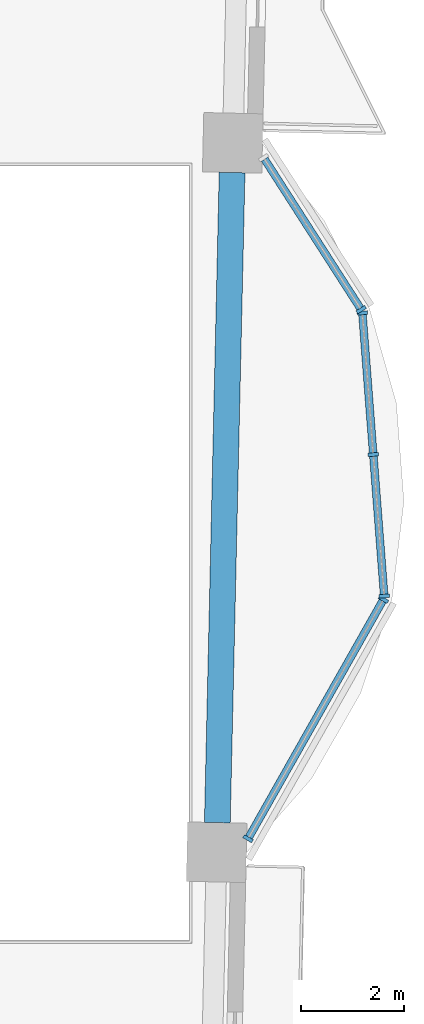
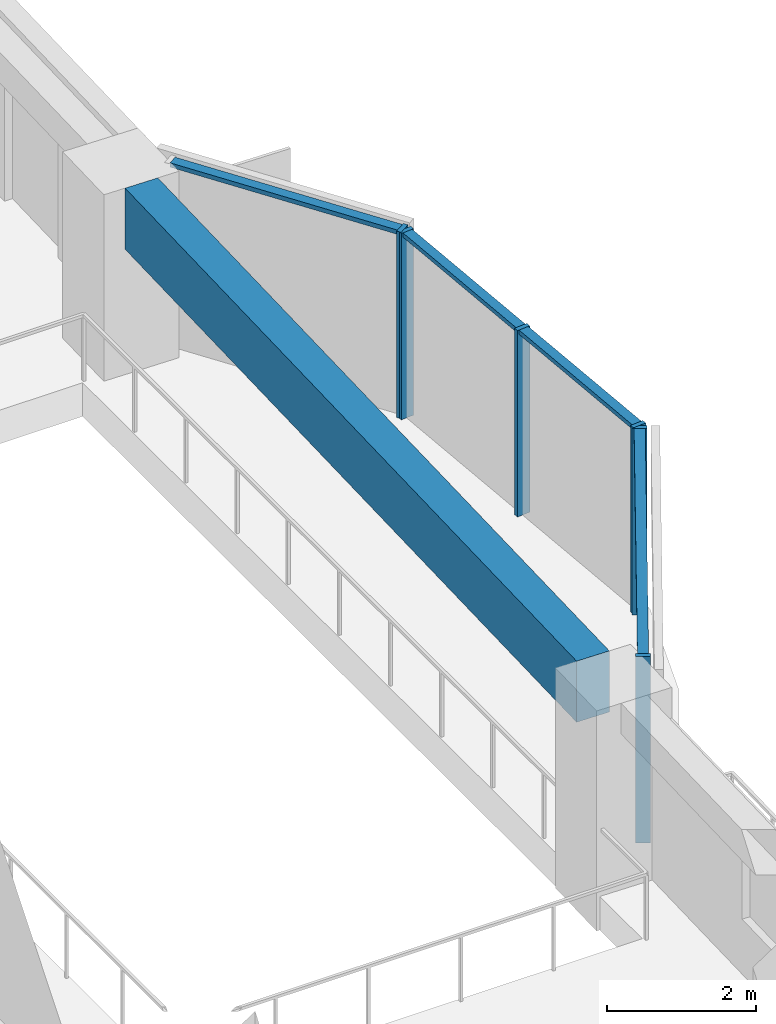
# One storey, part 2 of 16: 10 members, 1 beam, 3 elements without a shape of their own.
"""IFC4 building model written with IfcOpenShell, lengths in metres."""

import ifcopenshell
import ifcopenshell.guid

model = None  # the IFC model being written
_history = None  # IfcOwnerHistory: only IFC2X3 demands one
_inside = {}  # id of a spatial element -> (the spatial element, [elements in it])
_under = {}  # id of a project, library or spatial element -> (it, [spatial elements below it])
_declared = {}  # id of a project -> (the project, [libraries it declares])
_typed = {}  # id of a type object -> (the type object, [elements of that type])
_made_of = {}  # id of a material, layer set ... -> (it, [elements and type objects made of it])


def new_model(schema):
    """Start an empty IFC model of exactly this schema.

    Asked for "IFC4X3", IfcOpenShell would pick the latest addendum, in which some entities
    have other attributes; the version numbers below select the first issue.
    IFC2X3 requires an IfcOwnerHistory on every rooted entity: one is made here for all.
    """
    global model, _history
    if schema == "IFC4X3":
        model = ifcopenshell.file(schema_version=(4, 3, 0, 0))
    else:
        model = ifcopenshell.file(schema=schema)
    _inside.clear()
    _under.clear()
    _declared.clear()
    _typed.clear()
    _made_of.clear()
    _history = None
    if model.schema == "IFC2X3":
        org = make("IfcOrganization", Name="unknown")
        user = make(
            "IfcPersonAndOrganization",
            ThePerson=make("IfcPerson", FamilyName="unknown"),
            TheOrganization=org,
        )
        app = make(
            "IfcApplication",
            ApplicationDeveloper=org,
            Version="unknown",
            ApplicationFullName="unknown",
            ApplicationIdentifier="unknown",
        )
        _history = make(
            "IfcOwnerHistory",
            OwningUser=user,
            OwningApplication=app,
            ChangeAction="ADDED",
            CreationDate=0,
        )
    return model


def make(cls, **values):
    """One entity of the class cls with the attributes given. An attribute that is None is left unset."""
    return model.create_entity(
        cls, **{name: value for name, value in values.items() if value is not None}
    )


def rooted(cls, **values):
    """An entity with a GlobalId (a new one), such as an element, a storey or a relation."""
    return make(cls, GlobalId=ifcopenshell.guid.new(), OwnerHistory=_history, **values)


def si_unit(unit_type, name, prefix=None):
    """IfcSIUnit, for example si_unit("LENGTHUNIT", "METRE", prefix="MILLI")."""
    return make("IfcSIUnit", UnitType=unit_type, Prefix=prefix, Name=name)


def assignment(units):
    """IfcUnitAssignment: the units of a project."""
    return None if units is None else make("IfcUnitAssignment", Units=units)


def point(xyz):
    """IfcCartesianPoint."""
    return None if xyz is None else make("IfcCartesianPoint", Coordinates=xyz)


def direction(xyz):
    """IfcDirection."""
    return None if xyz is None else make("IfcDirection", DirectionRatios=xyz)


def frame(location, z_axis=None, x_axis=None):
    """IfcAxis2Placement3D, a coordinate frame: its origin and axes. An axis left out is left unset."""
    return make(
        "IfcAxis2Placement3D",
        Location=point(location),
        Axis=direction(z_axis),
        RefDirection=direction(x_axis),
    )


def frame_2d(location, x_axis=None):
    """IfcAxis2Placement2D, a coordinate frame in the plane: its origin and x axis."""
    return make(
        "IfcAxis2Placement2D", Location=point(location), RefDirection=direction(x_axis)
    )


def origin():
    """The frame at (0, 0, 0) with its axes left unset."""
    return frame((0.0, 0.0, 0.0))


def origin_2d():
    """The frame at (0, 0) in the plane with its x axis left unset."""
    return frame_2d((0.0, 0.0))


def place(relative_to, where):
    """IfcLocalPlacement: puts the frame where relative to a parent placement (None: the world)."""
    return make(
        "IfcLocalPlacement", PlacementRelTo=relative_to, RelativePlacement=where
    )


def context(
    kind, dimensions, precision=None, world=None, true_north=None, identifier=None
):
    """IfcGeometricRepresentationContext, for example the 3D "Model" context."""
    return make(
        "IfcGeometricRepresentationContext",
        ContextIdentifier=identifier,
        ContextType=kind,
        CoordinateSpaceDimension=dimensions,
        Precision=precision,
        WorldCoordinateSystem=world,
        TrueNorth=true_north,
    )


def subcontext(parent, identifier, kind, view, scale=None):
    """IfcGeometricRepresentationSubContext, for example "Body" below "Model"."""
    return make(
        "IfcGeometricRepresentationSubContext",
        ContextIdentifier=identifier,
        ContextType=kind,
        ParentContext=parent,
        TargetScale=scale,
        TargetView=view,
    )


def project(units=None, contexts=None):
    """IfcProject with its units and contexts."""
    return rooted(
        "IfcProject",
        Name="project",
        RepresentationContexts=contexts,
        UnitsInContext=assignment(units),
    )


def spatial(cls, under=None, at=None, **own):
    """A site, building, storey or space (cls), placed at a placement, below another one or the project."""
    s = rooted(cls, ObjectPlacement=at, **own)
    if under is not None:
        _under.setdefault(under.id(), (under, []))[1].append(s)
    return s


def profile(cls, at=None, kind="AREA", **sizes):
    """A parametric profile (cls). Its sizes go by their IFC names, for example OverallWidth=200.0."""
    return make(cls, ProfileType=kind, Position=at, **sizes)


def rectangle(**sizes):
    """IfcRectangleProfileDef."""
    return profile("IfcRectangleProfileDef", **sizes)


def extrude(swept, where, along, depth):
    """IfcExtrudedAreaSolid: the profile swept, set in the frame where, extruded along a direction by depth."""
    return make(
        "IfcExtrudedAreaSolid",
        SweptArea=swept,
        Position=where,
        ExtrudedDirection=direction(along),
        Depth=depth,
    )


def shape(context_of_items, identifier, shape_type, items):
    """IfcShapeRepresentation: the items that make up one representation, for example the "Body"."""
    return make(
        "IfcShapeRepresentation",
        ContextOfItems=context_of_items,
        RepresentationIdentifier=identifier,
        RepresentationType=shape_type,
        Items=items,
    )


def material(Name=None, Category=None):
    """IfcMaterial."""
    return make("IfcMaterial", Name=Name, Category=Category)


def material_profile(
    of_material, cross_section, Name=None, Category=None, Priority=None
):
    """IfcMaterialProfile: a cross section and its material."""
    return make(
        "IfcMaterialProfile",
        Name=Name,
        Material=of_material,
        Profile=cross_section,
        Priority=Priority,
        Category=Category,
    )


def profile_set(profiles, Name=None, composite=None):
    """IfcMaterialProfileSet."""
    return make(
        "IfcMaterialProfileSet",
        Name=Name,
        MaterialProfiles=profiles,
        CompositeProfile=composite,
    )


def made_of(thing, what):
    """Note that an element or type object is made of a material, layer set ...; save() writes the relation."""
    if what is not None:
        _made_of.setdefault(what.id(), (what, []))[1].append(thing)
    return thing


def type_object(cls, material=None, **own):
    """A type object (cls), such as IfcWallType, which elements share."""
    return made_of(rooted(cls, **own), material)


def element(
    cls,
    number,
    at=None,
    inside=None,
    cuts=None,
    type_object=None,
    material=None,
    context=None,
    identifier="Body",
    shape_type=None,
    held_by="IfcProductDefinitionShape",
    body=None,
    shapes=None,
    **own,
):
    """One element of the class cls, such as IfcWall. Its Tag is "e" and its number.

    at: its placement. inside: the storey or other place that contains it. cuts: it is an
    opening in that element (IfcRelVoidsElement). A single representation is given by context,
    identifier, shape_type and body (its items); several are given by shapes. held_by: the class
    of the entity that holds the representations. save() writes the other relations.
    """
    e = rooted(cls, Tag="e%d" % number, ObjectPlacement=at, **own)
    if body is not None:
        shapes = [shape(context, identifier, shape_type, body)]
    if shapes is not None:
        e.Representation = make(held_by, Representations=shapes)
    if inside is not None:
        _inside.setdefault(inside.id(), (inside, []))[1].append(e)
    if cuts is not None:
        rooted(
            "IfcRelVoidsElement", RelatingBuildingElement=cuts, RelatedOpeningElement=e
        )
    if type_object is not None:
        _typed.setdefault(type_object.id(), (type_object, []))[1].append(e)
    return made_of(e, material)


def aggregate(whole, parts):
    """IfcRelAggregates: a whole, such as a stair, and the parts it consists of."""
    return rooted("IfcRelAggregates", RelatingObject=whole, RelatedObjects=parts)


def save(model, path):
    """Write the relations noted so far, then the file.

    IfcRelAggregates (storeys below a building ...), IfcRelContainedInSpatialStructure (elements
    in a storey), IfcRelDefinesByType, IfcRelAssociatesMaterial and IfcRelDeclares: one each for
    every whole, place, type object, material and project.
    """
    for whole, parts in _under.values():
        aggregate(whole, parts)
    for where, things in _inside.values():
        rooted(
            "IfcRelContainedInSpatialStructure",
            RelatedElements=things,
            RelatingStructure=where,
        )
    for kind, things in _typed.values():
        rooted("IfcRelDefinesByType", RelatedObjects=things, RelatingType=kind)
    for what, things in _made_of.values():
        rooted("IfcRelAssociatesMaterial", RelatedObjects=things, RelatingMaterial=what)
    for by, libraries in _declared.values():
        rooted("IfcRelDeclares", RelatingContext=by, RelatedDefinitions=libraries)
    model.write(path)


model = new_model("IFC4")

# Units and contexts
model_context = context("Model", 3, precision=1e-05, world=origin(), true_north=direction((0.0, 1.0)))
body_context = subcontext(model_context, "Body", "Model", "MODEL_VIEW")
ifc_project = project(units=[si_unit("LENGTHUNIT", "METRE"), si_unit("AREAUNIT", "SQUARE_METRE"), si_unit("VOLUMEUNIT", "CUBIC_METRE"), si_unit("PLANEANGLEUNIT", "RADIAN"), si_unit("MASSUNIT", "GRAM", prefix="KILO")], contexts=[model_context])

# Site, building, storey
site_placement = place(None, origin())
site = spatial("IfcSite", under=ifc_project, at=site_placement, CompositionType="ELEMENT")
building_placement = place(site_placement, origin())
building = spatial("IfcBuilding", under=site, at=building_placement, Name="Mangrove Gate Tower", CompositionType="ELEMENT")
storey_placement = place(building_placement, frame((0.0, 0.0, 201.5)))
storey = spatial("IfcBuildingStorey", under=building, at=storey_placement, Name="L51", CompositionType="ELEMENT", Elevation=201.5)

# Curtain wall, members
ifc_material_1 = material(Name="Aluminium and glass curtain wall", Category="aluminium")
curtain_wall_type = type_object("IfcCurtainWallType", Name="Atrium garden-court glazing wall", PredefinedType="NOTDEFINED", material=ifc_material_1)
curtain_wall_1_placement = place(storey_placement, origin())
curtain_wall_1 = element("IfcCurtainWall", 1, at=curtain_wall_1_placement, inside=storey, type_object=curtain_wall_type, Name="Atrium garden-court glazing E1f1", PredefinedType="NOTDEFINED")
ifc_material_2 = material(Name="Aluminium alloy 6063-T6", Category="aluminium")
ifc_material_profile_1 = material_profile(ifc_material_2, rectangle(XDim=0.070068359375, YDim=0.199951171875, at=origin_2d()))
ifc_profile_set_1 = profile_set([ifc_material_profile_1], Name="Aluminium alloy 6063-T6")
member_type_1 = type_object("IfcMemberType", Name="Atrium garden-court glazing mullion 70x200", PredefinedType="MULLION", material=ifc_profile_set_1)
member_1_placement = place(storey_placement, frame((24.141845703125, -5.53564453125, 0.0), z_axis=(0.0, 0.0, 1.0), x_axis=(0.492599932635, 0.870255885569, 0.0)))
member_1 = element("IfcMember", 2, at=member_1_placement, type_object=member_type_1, Name="CWA mullion 1", PredefinedType="MULLION", context=body_context, shape_type="SweptSolid", body=[
    extrude(rectangle(XDim=0.070068359375, YDim=0.199951171875, at=origin_2d()), origin(), (0.0, 0.0, 1.0), 3.050048828125),
])
member_2_placement = place(storey_placement, frame((26.7666015625, -0.8984375, 0.0), z_axis=(0.0, 0.0, 1.0), x_axis=(0.492599932635, 0.870255885569, 0.0)))
member_2 = element("IfcMember", 3, at=member_2_placement, type_object=member_type_1, Name="CWA mullion 2", PredefinedType="MULLION", context=body_context, shape_type="SweptSolid", body=[
    extrude(rectangle(XDim=0.070068359375, YDim=0.199951171875, at=origin_2d()), origin(), (0.0, 0.0, 1.0), 3.050048828125),
])

curtain_wall_2_placement = place(storey_placement, origin())
curtain_wall_2 = element("IfcCurtainWall", 4, at=curtain_wall_2_placement, inside=storey, type_object=curtain_wall_type, Name="Atrium garden-court glazing E1f2", PredefinedType="NOTDEFINED")
member_3_placement = place(storey_placement, frame((26.78125, -0.8330078125, 0.0), z_axis=(0.0, 0.0, 1.0), x_axis=(-0.077023348229, 0.997029289353, 0.0)))
member_3 = element("IfcMember", 5, at=member_3_placement, type_object=member_type_1, Name="CWA mullion 1", PredefinedType="MULLION", context=body_context, shape_type="SweptSolid", body=[
    extrude(rectangle(XDim=0.070068359375, YDim=0.199951171875, at=origin_2d()), origin(), (0.0, 0.0, 1.0), 3.050048828125),
])
member_4_placement = place(storey_placement, frame((26.5693359375, 1.910400390625, 0.0), z_axis=(0.0, 0.0, 1.0), x_axis=(-0.077023348229, 0.997029289353, 0.0)))
member_4 = element("IfcMember", 6, at=member_4_placement, type_object=member_type_1, Name="CWA mullion 2", PredefinedType="MULLION", context=body_context, shape_type="SweptSolid", body=[
    extrude(rectangle(XDim=0.070068359375, YDim=0.199951171875, at=origin_2d()), origin(), (0.0, 0.0, 1.0), 3.050048828125),
])
member_5_placement = place(storey_placement, frame((26.357177734375, 4.654052734375, 0.0), z_axis=(0.0, 0.0, 1.0), x_axis=(-0.077023348229, 0.997029289353, 0.0)))
member_5 = element("IfcMember", 7, at=member_5_placement, type_object=member_type_1, Name="CWA mullion 3", PredefinedType="MULLION", context=body_context, shape_type="SweptSolid", body=[
    extrude(rectangle(XDim=0.070068359375, YDim=0.199951171875, at=origin_2d()), origin(), (0.0, 0.0, 1.0), 3.050048828125),
])

# Curtain wall, member
curtain_wall_3_placement = place(storey_placement, origin())
curtain_wall_3 = element("IfcCurtainWall", 8, at=curtain_wall_3_placement, inside=storey, type_object=curtain_wall_type, Name="Atrium garden-court glazing E1f3", PredefinedType="NOTDEFINED")
member_6_placement = place(storey_placement, frame((26.335693359375, 4.71826171875, 0.0), z_axis=(0.0, 0.0, 1.0), x_axis=(-0.540523066602, 0.841329195067, 0.0)))
member_6 = element("IfcMember", 9, at=member_6_placement, type_object=member_type_1, Name="CWA mullion 1", PredefinedType="MULLION", context=body_context, shape_type="SweptSolid", body=[
    extrude(rectangle(XDim=0.070068359375, YDim=0.199951171875, at=origin_2d()), origin(), (0.0, 0.0, 1.0), 3.050048828125),
])

# Member
ifc_material_3 = material(Name="Aluminium alloy 6063-T6", Category="aluminium")
ifc_material_profile_2 = material_profile(ifc_material_3, rectangle(XDim=0.070068359375, YDim=0.14990234375, at=origin_2d()))
ifc_profile_set_2 = profile_set([ifc_material_profile_2], Name="Aluminium alloy 6063-T6")
member_type_2 = type_object("IfcMemberType", Name="Atrium garden-court glazing transom 70x150", PredefinedType="USERDEFINED", material=ifc_profile_set_2)
member_7_placement = place(storey_placement, frame((24.158935546875, -5.505126953125, 3.014892578125), z_axis=(0.492604854248, 0.870253099719, 0.0), x_axis=(0.0, 0.0, 1.0)))
member_7 = element("IfcMember", 10, at=member_7_placement, type_object=member_type_2, Name="CWA transom 1.2", ObjectType="TRANSOM", PredefinedType="USERDEFINED", context=body_context, shape_type="SweptSolid", body=[
    extrude(rectangle(XDim=0.070068359375, YDim=0.14990234375, at=origin_2d()), origin(), (0.0, 0.0, 1.0), 5.258544921875),
])

aggregate(curtain_wall_1, [member_1, member_2, member_7])

member_8_placement = place(storey_placement, frame((26.778564453125, -0.798095703125, 3.014892578125), z_axis=(-0.077023719707, 0.997029260655, 0.0), x_axis=(0.0, 0.0, 1.0)))
member_8 = element("IfcMember", 11, at=member_8_placement, type_object=member_type_2, Name="CWA transom 1.2", ObjectType="TRANSOM", PredefinedType="USERDEFINED", context=body_context, shape_type="SweptSolid", body=[
    extrude(rectangle(XDim=0.070068359375, YDim=0.14990234375, at=origin_2d()), origin(), (0.0, 0.0, 1.0), 2.681640625),
])

member_9_placement = place(storey_placement, frame((26.56640625, 1.9453125, 3.014892578125), z_axis=(-0.07701672858, 0.997029800718, 0.0), x_axis=(0.0, 0.0, 1.0)))
member_9 = element("IfcMember", 12, at=member_9_placement, type_object=member_type_2, Name="CWA transom 2.2", ObjectType="TRANSOM", PredefinedType="USERDEFINED", context=body_context, shape_type="SweptSolid", body=[
    extrude(rectangle(XDim=0.070068359375, YDim=0.14990234375, at=origin_2d()), origin(), (0.0, 0.0, 1.0), 2.681884765625),
])

aggregate(curtain_wall_2, [member_3, member_4, member_5, member_8, member_9])

member_10_placement = place(storey_placement, frame((26.316650390625, 4.747802734375, 3.014892578125), z_axis=(-0.540473277627, 0.841361180571, 0.0), x_axis=(0.0, 0.0, 1.0)))
member_10 = element("IfcMember", 13, at=member_10_placement, type_object=member_type_2, Name="CWA transom 1.2", ObjectType="TRANSOM", PredefinedType="USERDEFINED", context=body_context, shape_type="SweptSolid", body=[
    extrude(rectangle(XDim=0.070068359375, YDim=0.14990234375, at=origin_2d()), origin(), (0.0, 0.0, 1.0), 3.428955078125),
])

aggregate(curtain_wall_3, [member_6, member_10])

# Beam
ifc_material_4 = material(Name="Concrete C50/60", Category="concrete")
ifc_material_profile_3 = material_profile(ifc_material_4, rectangle(XDim=0.5, YDim=1.0, at=origin_2d()))
ifc_profile_set_3 = profile_set([ifc_material_profile_3], Name="Concrete C50/60")
beam_type = type_object("IfcBeamType", Name="Edge beam RC 500x1000 C50/60", PredefinedType="BEAM", material=ifc_profile_set_3)
beam_placement = place(storey_placement, frame((23.547119140625, -5.22314453125, 2.550048828125), z_axis=(0.022686638645, 0.999742625093, 0.0), x_axis=(-0.999742625093, 0.022686638645, 0.0)))
element("IfcBeam", 14, at=beam_placement, inside=storey, type_object=beam_type, Name="Edge beam L51 14", PredefinedType="BEAM", context=body_context, shape_type="SweptSolid", body=[
    extrude(rectangle(XDim=0.5, YDim=1.0, at=origin_2d()), origin(), (0.0, 0.0, 1.0), 12.6015625),
])

save(model, "model.ifc")
